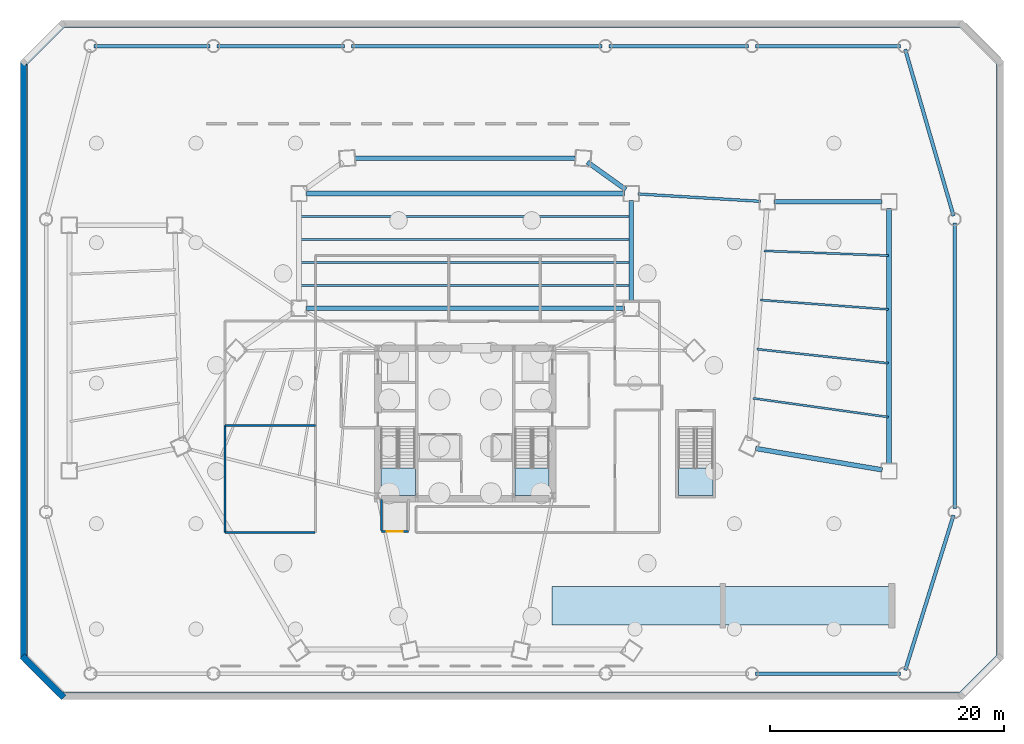
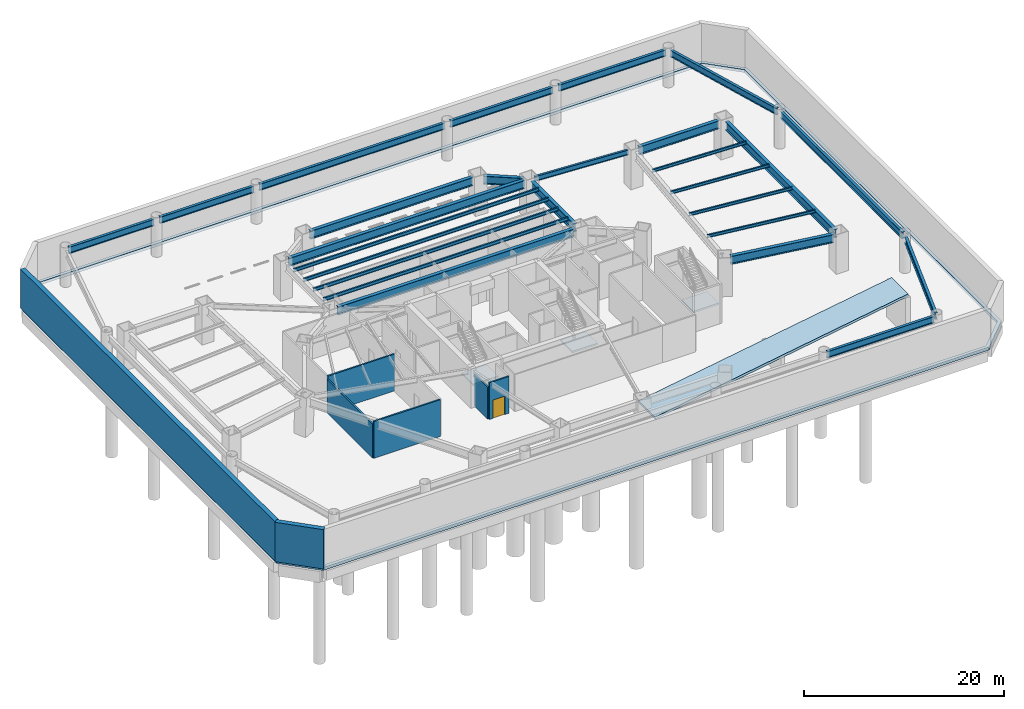
# One storey, part 5 of 11: 26 beams, 7 walls, 5 slabs, 1 door, 1 opening, 3 elements without a shape of their own.
"""IFC4 building model written with IfcOpenShell, lengths in metres."""

from ifc_helpers import new_model, si_unit, direction, frame, frame_2d, origin, origin_2d, place, context, subcontext, project, spatial, polyline, rectangle, i_section, outline, extrude, source, transform, mapped, material, layer, layer_set, material_profile, profile_set, type_object, type_shapes, element, fill, aggregate, save


model = new_model("IFC4")

# Units and contexts
model_context = context("Model", 3, precision=1e-05, world=origin(), true_north=direction((0.0, 1.0)))
body_context = subcontext(model_context, "Body", "Model", "MODEL_VIEW")
ifc_project = project(units=[si_unit("LENGTHUNIT", "METRE"), si_unit("AREAUNIT", "SQUARE_METRE"), si_unit("VOLUMEUNIT", "CUBIC_METRE"), si_unit("PLANEANGLEUNIT", "RADIAN"), si_unit("MASSUNIT", "GRAM", prefix="KILO")], contexts=[model_context])

# Site, building, storey
site_placement = place(None, origin())
site = spatial("IfcSite", under=ifc_project, at=site_placement, CompositionType="ELEMENT")
building_placement = place(site_placement, origin())
building = spatial("IfcBuilding", under=site, at=building_placement, Name="Caelisora Broadcast Tower", CompositionType="ELEMENT")
storey_placement = place(building_placement, frame((0.0, 0.0, -4.800048828125)))
storey = spatial("IfcBuildingStorey", under=building, at=storey_placement, Name="B1", CompositionType="ELEMENT", Elevation=-4.800048828125)

# Beams
ifc_material_1 = material(Name="Steel Grade 350 (AS/NZS 3679.2)", Category="steel")
ifc_material_profile_1 = material_profile(ifc_material_1, i_section(OverallWidth=0.300048828125, OverallDepth=0.800048828125, WebThickness=0.013916015625, FlangeThickness=0.02392578125, at=origin_2d()), Name="Steel Grade 350 (AS/NZS 3679.2)")
ifc_profile_set_1 = profile_set([ifc_material_profile_1], Name="Steel Grade 350 (AS/NZS 3679.2)")
beam_type_1 = type_object("IfcBeamType", Name="PG02", PredefinedType="BEAM", material=ifc_profile_set_1)
shared_shape_1 = source(origin(), body_context, "Body", "SweptSolid", [
    extrude(i_section(OverallWidth=0.300048828125, OverallDepth=0.800048828125, WebThickness=0.013916015625, FlangeThickness=0.02392578125, at=origin_2d()), origin(), (0.0, 0.0, 1.0), 9.89990234375),
])
beam_1_placement = place(storey_placement, frame((6.300048828125, 55.800048828125, 4.080078125), z_axis=(1.0, 0.0, 0.0), x_axis=(0.0, 1.0, 0.0)))
element("IfcBeam", 1, at=beam_1_placement, inside=storey, type_object=beam_type_1, Name="B1 beam PG02", PredefinedType="BEAM", context=body_context, shape_type="MappedRepresentation", body=[
    mapped(shared_shape_1, transform((0.0, 0.0, 0.0), scale=1.0)),
])
shared_shape_2 = source(origin(), body_context, "Body", "SweptSolid", [
    extrude(i_section(OverallWidth=0.300048828125, OverallDepth=0.800048828125, WebThickness=0.013916015625, FlangeThickness=0.02392578125, at=origin_2d()), origin(), (0.0, 0.0, 1.0), 10.89990234375),
])
beam_2_placement = place(storey_placement, frame((16.800048828125, 55.800048828125, 4.080078125), z_axis=(1.0, 0.0, 0.0), x_axis=(0.0, 1.0, 0.0)))
element("IfcBeam", 2, at=beam_2_placement, inside=storey, type_object=beam_type_1, Name="B1 beam PG02", PredefinedType="BEAM", context=body_context, shape_type="MappedRepresentation", body=[
    mapped(shared_shape_2, transform((0.0, 0.0, 0.0), scale=1.0)),
])
shared_shape_3 = source(origin(), body_context, "Body", "SweptSolid", [
    extrude(i_section(OverallWidth=0.300048828125, OverallDepth=0.800048828125, WebThickness=0.013916015625, FlangeThickness=0.02392578125, at=origin_2d()), origin(), (0.0, 0.0, 1.0), 21.39990234375),
])
beam_3_placement = place(storey_placement, frame((28.300048828125, 55.800048828125, 4.080078125), z_axis=(1.0, 0.0, 0.0), x_axis=(0.0, 1.0, 0.0)))
element("IfcBeam", 3, at=beam_3_placement, inside=storey, type_object=beam_type_1, Name="B1 beam PG02", PredefinedType="BEAM", context=body_context, shape_type="MappedRepresentation", body=[
    mapped(shared_shape_3, transform((0.0, 0.0, 0.0), scale=1.0)),
])
shared_shape_4 = source(origin(), body_context, "Body", "SweptSolid", [
    extrude(i_section(OverallWidth=0.300048828125, OverallDepth=0.800048828125, WebThickness=0.013916015625, FlangeThickness=0.02392578125, at=origin_2d()), origin(), (0.0, 0.0, 1.0), 11.89990234375),
])
beam_4_placement = place(storey_placement, frame((50.300048828125, 55.800048828125, 4.080078125), z_axis=(1.0, 0.0, 0.0), x_axis=(0.0, 1.0, 0.0)))
element("IfcBeam", 4, at=beam_4_placement, inside=storey, type_object=beam_type_1, Name="B1 beam PG02", PredefinedType="BEAM", context=body_context, shape_type="MappedRepresentation", body=[
    mapped(shared_shape_4, transform((0.0, 0.0, 0.0), scale=1.0)),
])
shared_shape_5 = source(origin(), body_context, "Body", "SweptSolid", [
    extrude(i_section(OverallWidth=0.300048828125, OverallDepth=0.800048828125, WebThickness=0.013916015625, FlangeThickness=0.02392578125, at=origin_2d()), origin(), (0.0, 0.0, 1.0), 12.39990234375),
])
for number, where, z_axis, x_axis, name in (
    (5, (62.800048828125, 2.199951171875, 4.080078125), (1.0, 0.0, 0.0), (0.0, 1.0, 0.0), "B1 beam PG02"),
    (6, (62.800048828125, 55.800048828125, 4.080078125), (1.0, 0.0, 0.0), (0.0, 1.0, 0.0), "B1 beam PG02"),
):
    element("IfcBeam", number, at=place(storey_placement, frame(where, z_axis=z_axis, x_axis=x_axis)), inside=storey, type_object=beam_type_1, Name=name, PredefinedType="BEAM", context=body_context, shape_type="MappedRepresentation", body=[
        mapped(shared_shape_5, transform((0.0, 0.0, 0.0), scale=1.0)),
    ])
shared_shape_6 = source(origin(), body_context, "Body", "SweptSolid", [
    extrude(i_section(OverallWidth=0.300048828125, OverallDepth=0.800048828125, WebThickness=0.013916015625, FlangeThickness=0.02392578125, at=origin_2d()), origin(), (0.0, 0.0, 1.0), 24.39990234375),
])
beam_5_placement = place(storey_placement, frame((79.800048828125, 16.300048828125, 4.080078125), z_axis=(0.0, 1.0, 0.0), x_axis=(-1.0, 0.0, 0.0)))
element("IfcBeam", 7, at=beam_5_placement, inside=storey, type_object=beam_type_1, Name="B1 beam PG02", PredefinedType="BEAM", context=body_context, shape_type="MappedRepresentation", body=[
    mapped(shared_shape_6, transform((0.0, 0.0, 0.0), scale=1.0)),
])
shared_shape_7 = source(origin(), body_context, "Body", "SweptSolid", [
    extrude(i_section(OverallWidth=0.300048828125, OverallDepth=0.800048828125, WebThickness=0.013916015625, FlangeThickness=0.02392578125, at=origin_2d()), origin(), (0.0, 0.0, 1.0), 13.8544921875),
])
beam_6_placement = place(storey_placement, frame((75.589111328125, 2.486328125, 4.080078125), z_axis=(0.297489253499, 0.954725166764, 0.0), x_axis=(-0.954725166764, 0.297489253499, 0.0)))
element("IfcBeam", 8, at=beam_6_placement, inside=storey, type_object=beam_type_1, Name="B1 beam PG02", PredefinedType="BEAM", context=body_context, shape_type="MappedRepresentation", body=[
    mapped(shared_shape_7, transform((0.0, 0.0, 0.0), scale=1.0)),
])
shared_shape_8 = source(origin(), body_context, "Body", "SweptSolid", [
    extrude(i_section(OverallWidth=0.300048828125, OverallDepth=0.800048828125, WebThickness=0.013916015625, FlangeThickness=0.02392578125, at=origin_2d()), origin(), (0.0, 0.0, 1.0), 14.81201171875),
])
type_shapes(beam_type_1, [shared_shape_1, shared_shape_2, shared_shape_3, shared_shape_4, shared_shape_5, shared_shape_6, shared_shape_7, shared_shape_8])
beam_7_placement = place(storey_placement, frame((79.71630859375, 41.2880859375, 4.080078125), z_axis=(-0.279000450759, 0.960290970736, 0.0), x_axis=(-0.960290970736, -0.279000450759, 0.0)))
element("IfcBeam", 9, at=beam_7_placement, inside=storey, type_object=beam_type_1, Name="B1 beam PG02", PredefinedType="BEAM", context=body_context, shape_type="MappedRepresentation", body=[
    mapped(shared_shape_8, transform((0.0, 0.0, 0.0), scale=1.0)),
])
ifc_material_profile_2 = material_profile(ifc_material_1, i_section(OverallWidth=0.39990234375, OverallDepth=1.0, WebThickness=0.01611328125, FlangeThickness=0.028076171875, at=origin_2d()), Name="Steel Grade 350 (AS/NZS 3679.2)")
ifc_profile_set_2 = profile_set([ifc_material_profile_2], Name="Steel Grade 350 (AS/NZS 3679.2)")
beam_type_2 = type_object("IfcBeamType", Name="PG01", PredefinedType="BEAM", material=ifc_profile_set_2)
shared_shape_9 = source(origin(), body_context, "Body", "SweptSolid", [
    extrude(i_section(OverallWidth=0.39990234375, OverallDepth=1.0, WebThickness=0.01611328125, FlangeThickness=0.028076171875, at=origin_2d()), origin(), (0.0, 0.0, 1.0), 18.78173828125),
])
beam_8_placement = place(storey_placement, frame((47.390869140625, 46.223388671875, 3.97998046875), z_axis=(-1.0, 0.0, 0.0), x_axis=(0.0, -1.0, 0.0)))
element("IfcBeam", 10, at=beam_8_placement, inside=storey, type_object=beam_type_2, Name="B1 beam PG01", PredefinedType="BEAM", context=body_context, shape_type="MappedRepresentation", body=[
    mapped(shared_shape_9, transform((0.0, 0.0, 0.0), scale=1.0)),
])
shared_shape_10 = source(origin(), body_context, "Body", "SweptSolid", [
    extrude(i_section(OverallWidth=0.39990234375, OverallDepth=1.0, WebThickness=0.01611328125, FlangeThickness=0.028076171875, at=origin_2d()), origin(), (0.0, 0.0, 1.0), 4.02978515625),
])
beam_9_placement = place(storey_placement, frame((51.717529296875, 43.537841796875, 3.97998046875), z_axis=(-0.812782704199, 0.582566971048, 0.0), x_axis=(-0.582566971048, -0.812782704199, 0.0)))
element("IfcBeam", 11, at=beam_9_placement, inside=storey, type_object=beam_type_2, Name="B1 beam PG01", PredefinedType="BEAM", context=body_context, shape_type="MappedRepresentation", body=[
    mapped(shared_shape_10, transform((0.0, 0.0, 0.0), scale=1.0)),
])
shared_shape_11 = source(origin(), body_context, "Body", "SweptSolid", [
    extrude(i_section(OverallWidth=0.39990234375, OverallDepth=1.0, WebThickness=0.01611328125, FlangeThickness=0.028076171875, at=origin_2d()), origin(), (0.0, 0.0, 1.0), 10.978271484375),
])
beam_10_placement = place(storey_placement, frame((62.803466796875, 21.426513671875, 3.97998046875), z_axis=(0.986011432808, -0.166677696082, 0.0), x_axis=(0.166677696082, 0.986011432808, 0.0)))
element("IfcBeam", 12, at=beam_10_placement, inside=storey, type_object=beam_type_2, Name="B1 beam PG01", PredefinedType="BEAM", context=body_context, shape_type="MappedRepresentation", body=[
    mapped(shared_shape_11, transform((0.0, 0.0, 0.0), scale=1.0)),
])
shared_shape_12 = source(origin(), body_context, "Body", "SweptSolid", [
    extrude(i_section(OverallWidth=0.39990234375, OverallDepth=1.0, WebThickness=0.01611328125, FlangeThickness=0.028076171875, at=origin_2d()), origin(), (0.0, 0.0, 1.0), 9.240234375),
])
beam_11_placement = place(storey_placement, frame((64.3798828125, 42.5, 3.97998046875), z_axis=(1.0, 0.0, 0.0), x_axis=(0.0, 1.0, 0.0)))
element("IfcBeam", 13, at=beam_11_placement, inside=storey, type_object=beam_type_2, Name="B1 beam PG01", PredefinedType="BEAM", context=body_context, shape_type="MappedRepresentation", body=[
    mapped(shared_shape_12, transform((0.0, 0.0, 0.0), scale=1.0)),
])
shared_shape_13 = source(origin(), body_context, "Body", "SweptSolid", [
    extrude(i_section(OverallWidth=0.39990234375, OverallDepth=1.0, WebThickness=0.01611328125, FlangeThickness=0.028076171875, at=origin_2d()), origin(), (0.0, 0.0, 1.0), 21.83984375),
])
beam_12_placement = place(storey_placement, frame((74.199951171875, 20.080078125, 3.97998046875), z_axis=(0.0, 1.0, 0.0), x_axis=(-1.0, 0.0, 0.0)))
element("IfcBeam", 14, at=beam_12_placement, inside=storey, type_object=beam_type_2, Name="B1 beam PG01", PredefinedType="BEAM", context=body_context, shape_type="MappedRepresentation", body=[
    mapped(shared_shape_13, transform((0.0, 0.0, 0.0), scale=1.0)),
])
ifc_material_2 = material(Name="Steel Grade 350 (AS/NZS 3679.1)", Category="steel")
ifc_material_profile_3 = material_profile(ifc_material_2, i_section(OverallWidth=0.22900390625, OverallDepth=0.611572265625, WebThickness=0.011962890625, FlangeThickness=0.01953125, at=origin_2d()), Name="Steel Grade 350 (AS/NZS 3679.1)")
ifc_profile_set_3 = profile_set([ifc_material_profile_3], Name="Steel Grade 350 (AS/NZS 3679.1)")
beam_type_3 = type_object("IfcBeamType", Name="PG03", PredefinedType="BEAM", material=ifc_profile_set_3)
shared_shape_14 = source(origin(), body_context, "Body", "SweptSolid", [
    extrude(i_section(OverallWidth=0.22900390625, OverallDepth=0.611572265625, WebThickness=0.011962890625, FlangeThickness=0.01953125, at=origin_2d()), origin(), (0.0, 0.0, 1.0), 10.472412109375),
])
type_shapes(beam_type_3, [shared_shape_14])
beam_13_placement = place(storey_placement, frame((52.767822265625, 43.1650390625, 4.17431640625), z_axis=(0.998188109477, -0.060170575018, 0.0), x_axis=(0.060170575018, 0.998188109477, 0.0)))
element("IfcBeam", 15, at=beam_13_placement, inside=storey, type_object=beam_type_3, Name="B1 beam PG03", PredefinedType="BEAM", context=body_context, shape_type="MappedRepresentation", body=[
    mapped(shared_shape_14, transform((0.0, 0.0, 0.0), scale=1.0)),
])
shared_shape_15 = source(origin(), body_context, "Body", "SweptSolid", [
    extrude(i_section(OverallWidth=0.39990234375, OverallDepth=1.0, WebThickness=0.01611328125, FlangeThickness=0.028076171875, at=origin_2d()), origin(), (0.0, 0.0, 1.0), 27.2177734375),
])
for number, where, z_axis, x_axis, name in (
    (16, (24.39111328125, 43.199951171875, 3.97998046875), (1.0, 0.0, 0.0), (0.0, 1.0, 0.0), "B1 beam PG01"),
    (17, (24.39111328125, 33.39990234375, 3.97998046875), (1.0, 0.0, 0.0), (0.0, 1.0, 0.0), "B1 beam PG01"),
):
    element("IfcBeam", number, at=place(storey_placement, frame(where, z_axis=z_axis, x_axis=x_axis)), inside=storey, type_object=beam_type_2, Name=name, PredefinedType="BEAM", context=body_context, shape_type="MappedRepresentation", body=[
        mapped(shared_shape_15, transform((0.0, 0.0, 0.0), scale=1.0)),
    ])
shared_shape_16 = source(origin(), body_context, "Body", "SweptSolid", [
    extrude(i_section(OverallWidth=0.39990234375, OverallDepth=1.0, WebThickness=0.01611328125, FlangeThickness=0.028076171875, at=origin_2d()), origin(), (0.0, 0.0, 1.0), 8.64013671875),
])
type_shapes(beam_type_2, [shared_shape_9, shared_shape_10, shared_shape_11, shared_shape_12, shared_shape_13, shared_shape_15, shared_shape_16])
beam_14_placement = place(storey_placement, frame((52.18896484375, 33.97998046875, 3.97998046875), z_axis=(0.0, 1.0, 0.0), x_axis=(-1.0, 0.0, 0.0)))
element("IfcBeam", 18, at=beam_14_placement, inside=storey, type_object=beam_type_2, Name="B1 beam PG01", PredefinedType="BEAM", context=body_context, shape_type="MappedRepresentation", body=[
    mapped(shared_shape_16, transform((0.0, 0.0, 0.0), scale=1.0)),
])
ifc_material_profile_4 = material_profile(ifc_material_2, i_section(OverallWidth=0.172119140625, OverallDepth=0.358642578125, WebThickness=0.008056640625, FlangeThickness=0.012939453125, at=origin_2d()), Name="Steel Grade 350 (AS/NZS 3679.1)")
ifc_profile_set_4 = profile_set([ifc_material_profile_4], Name="Steel Grade 350 (AS/NZS 3679.1)")
beam_type_4 = type_object("IfcBeamType", Name="SB02", PredefinedType="JOIST", material=ifc_profile_set_4)
shared_shape_17 = source(origin(), body_context, "Body", "SweptSolid", [
    extrude(i_section(OverallWidth=0.172119140625, OverallDepth=0.358642578125, WebThickness=0.008056640625, FlangeThickness=0.012939453125, at=origin_2d()), origin(), (0.0, 0.0, 1.0), 11.646728515625),
])
beam_15_placement = place(storey_placement, frame((62.6044921875, 25.710205078125, 4.30078125), z_axis=(0.990497350358, -0.137531810626, 0.0), x_axis=(0.137531810626, 0.990497350358, 0.0)))
element("IfcBeam", 19, at=beam_15_placement, inside=storey, type_object=beam_type_4, Name="B1 beam SB02", PredefinedType="JOIST", context=body_context, shape_type="MappedRepresentation", body=[
    mapped(shared_shape_17, transform((0.0, 0.0, 0.0), scale=1.0)),
])
shared_shape_18 = source(origin(), body_context, "Body", "SweptSolid", [
    extrude(i_section(OverallWidth=0.172119140625, OverallDepth=0.358642578125, WebThickness=0.008056640625, FlangeThickness=0.012939453125, at=origin_2d()), origin(), (0.0, 0.0, 1.0), 11.285888671875),
])
beam_16_placement = place(storey_placement, frame((62.918701171875, 29.907470703125, 4.30078125), z_axis=(0.994319951459, -0.106432298346, 0.0), x_axis=(0.106432298346, 0.994319951459, 0.0)))
element("IfcBeam", 20, at=beam_16_placement, inside=storey, type_object=beam_type_4, Name="B1 beam SB02", PredefinedType="JOIST", context=body_context, shape_type="MappedRepresentation", body=[
    mapped(shared_shape_18, transform((0.0, 0.0, 0.0), scale=1.0)),
])
shared_shape_19 = source(origin(), body_context, "Body", "SweptSolid", [
    extrude(i_section(OverallWidth=0.172119140625, OverallDepth=0.358642578125, WebThickness=0.008056640625, FlangeThickness=0.012939453125, at=origin_2d()), origin(), (0.0, 0.0, 1.0), 10.93701171875),
])
beam_17_placement = place(storey_placement, frame((63.232421875, 34.10498046875, 4.30078125), z_axis=(0.997317651163, -0.073194963476, 0.0), x_axis=(0.073194963476, 0.997317651163, 0.0)))
element("IfcBeam", 21, at=beam_17_placement, inside=storey, type_object=beam_type_4, Name="B1 beam SB02", PredefinedType="JOIST", context=body_context, shape_type="MappedRepresentation", body=[
    mapped(shared_shape_19, transform((0.0, 0.0, 0.0), scale=1.0)),
])
shared_shape_20 = source(origin(), body_context, "Body", "SweptSolid", [
    extrude(i_section(OverallWidth=0.172119140625, OverallDepth=0.358642578125, WebThickness=0.008056640625, FlangeThickness=0.012939453125, at=origin_2d()), origin(), (0.0, 0.0, 1.0), 10.60107421875),
])
type_shapes(beam_type_4, [shared_shape_17, shared_shape_18, shared_shape_19, shared_shape_20])
beam_18_placement = place(storey_placement, frame((63.54638671875, 38.302490234375, 4.30078125), z_axis=(0.999287369898, -0.037745891988, 0.0), x_axis=(0.037745891988, 0.999287369898, 0.0)))
element("IfcBeam", 22, at=beam_18_placement, inside=storey, type_object=beam_type_4, Name="B1 beam SB02", PredefinedType="JOIST", context=body_context, shape_type="MappedRepresentation", body=[
    mapped(shared_shape_20, transform((0.0, 0.0, 0.0), scale=1.0)),
])
ifc_material_profile_5 = material_profile(ifc_material_2, i_section(OverallWidth=0.177978515625, OverallDepth=0.406494140625, WebThickness=0.0078125, FlangeThickness=0.0126953125, at=origin_2d()), Name="Steel Grade 350 (AS/NZS 3679.1)")
ifc_profile_set_5 = profile_set([ifc_material_profile_5], Name="Steel Grade 350 (AS/NZS 3679.1)")
beam_type_5 = type_object("IfcBeamType", Name="SB01", PredefinedType="JOIST", material=ifc_profile_set_5)
shared_shape_21 = source(origin(), body_context, "Body", "SweptSolid", [
    extrude(i_section(OverallWidth=0.177978515625, OverallDepth=0.406494140625, WebThickness=0.0078125, FlangeThickness=0.0126953125, at=origin_2d()), origin(), (0.0, 0.0, 1.0), 28.2578125),
])
type_shapes(beam_type_5, [shared_shape_21])
for number, where, z_axis, x_axis, name in (
    (23, (23.87109375, 35.360107421875, 4.27685546875), (1.0, 0.0, 0.0), (0.0, 1.0, 0.0), "B1 beam SB01"),
    (24, (23.87109375, 37.320068359375, 4.27685546875), (1.0, 0.0, 0.0), (0.0, 1.0, 0.0), "B1 beam SB01"),
    (25, (23.87109375, 39.280029296875, 4.27685546875), (1.0, 0.0, 0.0), (0.0, 1.0, 0.0), "B1 beam SB01"),
    (26, (23.87109375, 41.239990234375, 4.27685546875), (1.0, 0.0, 0.0), (0.0, 1.0, 0.0), "B1 beam SB01"),
):
    element("IfcBeam", number, at=place(storey_placement, frame(where, z_axis=z_axis, x_axis=x_axis)), inside=storey, type_object=beam_type_5, Name=name, PredefinedType="JOIST", context=body_context, shape_type="MappedRepresentation", body=[
        mapped(shared_shape_21, transform((0.0, 0.0, 0.0), scale=1.0)),
    ])

# Slab
ifc_material_3 = material(Name="Concrete 50 MPa (AS 3600 S50)", Category="concrete")
ifc_layer_1 = layer(ifc_material_3, 0.35009765625, Name="Concrete 50 MPa (AS 3600 S50)")
ifc_layer_set_1 = layer_set([ifc_layer_1], Name="Concrete 50 MPa (AS 3600 S50)")
slab_type_1 = type_object("IfcSlabType", Name="BS01", PredefinedType="BASESLAB", material=ifc_layer_set_1)
slab_1_placement = place(storey_placement, frame((0.0, 0.0, -0.349853515625)))
element("IfcSlab", 27, at=slab_1_placement, inside=storey, type_object=slab_type_1, Name="B1 base slab BS01", PredefinedType="BASESLAB", context=body_context, shape_type="SweptSolid", body=[
    extrude(outline(polyline([(3.591064453125, 0.219970703125), (0.219970703125, 3.591064453125), (0.219970703125, 54.408935546875), (3.591064453125, 57.780029296875), (80.408935546875, 57.780029296875), (83.780029296875, 54.408935546875), (83.780029296875, 3.591064453125), (80.408935546875, 0.219970703125), (3.591064453125, 0.219970703125)]), holes=[polyline([(3.7529296875, 0.610107421875), (0.610107421875, 3.7529296875), (0.610107421875, 54.2470703125), (3.7529296875, 57.389892578125), (80.2470703125, 57.389892578125), (83.389892578125, 54.2470703125), (83.389892578125, 3.7529296875), (80.2470703125, 0.610107421875), (3.7529296875, 0.610107421875)])]), origin(), (0.0, 0.0, 1.0), 0.349853515625),
])

# Stair, slab
ifc_material_4 = material(Name="Concrete 40 MPa (AS 3600 N40)", Category="concrete")
stair_type_1 = type_object("IfcStairType", Name="ST-1", PredefinedType="HALF_TURN_STAIR", material=ifc_material_4)
stair_1_placement = place(storey_placement, origin())
stair_1 = element("IfcStair", 28, at=stair_1_placement, inside=storey, type_object=stair_type_1, Name="B1 West Fire-Isolated Tower Stair", PredefinedType="HALF_TURN_STAIR")
ifc_layer_2 = layer(ifc_material_4, 0.199951171875, Name="Concrete 40 MPa (AS 3600 N40)")
ifc_layer_set_2 = layer_set([ifc_layer_2], Name="Concrete 40 MPa (AS 3600 N40)")
slab_type_2 = type_object("IfcSlabType", Name="STL-1", PredefinedType="LANDING", material=ifc_layer_set_2)
slab_2_placement = place(storey_placement, frame((0.0, 0.0, 2.199951171875)))
slab_2 = element("IfcSlab", 29, at=slab_2_placement, type_object=slab_type_2, Name="ST-1 landing 1", PredefinedType="LANDING", context=body_context, shape_type="SweptSolid", body=[
    extrude(outline(polyline([(30.820068359375, 19.739990234375), (30.820068359375, 17.39990234375), (33.739990234375, 17.39990234375), (33.739990234375, 19.739990234375), (30.820068359375, 19.739990234375)])), origin(), (0.0, 0.0, 1.0), 0.2001953125),
])
aggregate(stair_1, [slab_2])

stair_type_2 = type_object("IfcStairType", Name="ST-2", PredefinedType="HALF_TURN_STAIR", material=ifc_material_4)
stair_2_placement = place(storey_placement, origin())
stair_2 = element("IfcStair", 30, at=stair_2_placement, inside=storey, type_object=stair_type_2, Name="B1 East Fire-Isolated Tower Stair", PredefinedType="HALF_TURN_STAIR")
slab_3_placement = place(storey_placement, frame((0.0, 0.0, 2.199951171875)))
slab_3 = element("IfcSlab", 31, at=slab_3_placement, type_object=slab_type_2, Name="ST-2 landing 1", PredefinedType="LANDING", context=body_context, shape_type="SweptSolid", body=[
    extrude(outline(polyline([(42.260009765625, 19.739990234375), (42.260009765625, 17.39990234375), (45.179931640625, 17.39990234375), (45.179931640625, 19.739990234375), (42.260009765625, 19.739990234375)])), origin(), (0.0, 0.0, 1.0), 0.2001953125),
])
aggregate(stair_2, [slab_3])

stair_type_3 = type_object("IfcStairType", Name="ST-3", PredefinedType="HALF_TURN_STAIR", material=ifc_material_4)
stair_3_placement = place(storey_placement, origin())
stair_3 = element("IfcStair", 32, at=stair_3_placement, inside=storey, type_object=stair_type_3, Name="B1 Podium Broadcast Studio Exit Stair", PredefinedType="HALF_TURN_STAIR")
slab_4_placement = place(storey_placement, frame((0.0, 0.0, 2.199951171875)))
slab_4 = element("IfcSlab", 33, at=slab_4_placement, type_object=slab_type_2, Name="ST-3 landing 1", PredefinedType="LANDING", context=body_context, shape_type="SweptSolid", body=[
    extrude(outline(polyline([(56.199951171875, 19.739990234375), (56.199951171875, 17.39990234375), (59.159912109375, 17.39990234375), (59.159912109375, 19.739990234375), (56.199951171875, 19.739990234375)])), origin(), (0.0, 0.0, 1.0), 0.2001953125),
])
aggregate(stair_3, [slab_4])

# Slab
ifc_layer_3 = layer(ifc_material_4, 0.300048828125, Name="Concrete 40 MPa (AS 3600 N40)")
ifc_layer_set_3 = layer_set([ifc_layer_3], Name="Concrete 40 MPa (AS 3600 N40)")
slab_type_3 = type_object("IfcSlabType", Name="VR01", PredefinedType="FLOOR", material=ifc_layer_set_3)
slab_5_placement = place(storey_placement, frame((45.39990234375, 6.35009765625, 0.0), z_axis=(-0.162207150513, 0.0, 0.986756728035), x_axis=(0.986756728035, 0.0, 0.162207150513)))
element("IfcSlab", 34, at=slab_5_placement, inside=storey, type_object=slab_type_3, Name="B1 to L00 vehicle ramp structural slab VR01", PredefinedType="FLOOR", context=body_context, shape_type="SweptSolid", body=[
    extrude(outline(polyline([(0.0, 0.0), (29.59209142728055, 0.0), (29.59209142728055, 3.2998046875), (0.0, 3.2998046875), (0.0, 0.0)])), origin(), (0.0, 0.0, -1.0), 0.300048828125),
])

# Wall, opening, door
ifc_material_5 = material(Name="Fire-Rated Gypsum Shaft and Compartment Wall", Category="gypsum")
ifc_layer_4 = layer(ifc_material_5, 0.179931640625, Name="Fire-Rated Gypsum Shaft and Compartment Wall")
ifc_layer_set_4 = layer_set([ifc_layer_4], Name="Fire-Rated Gypsum Shaft and Compartment Wall")
wall_type_1 = type_object("IfcWallType", Name="PW2", PredefinedType="PARTITIONING", material=ifc_layer_set_4)
wall_1_placement = place(storey_placement, frame((30.85009765625, 14.320068359375, 0.0), z_axis=(0.0, 0.0, 1.0), x_axis=(1.0, 0.0, 0.0)))
wall_1 = element("IfcWall", 35, at=wall_1_placement, inside=storey, type_object=wall_type_1, Name="B1 fire compartment wall PW2", PredefinedType="PARTITIONING", context=body_context, shape_type="SweptSolid", body=[
    extrude(rectangle(XDim=2.2998046875, YDim=0.179931640625, at=frame_2d((1.14990234375, 0.0))), origin(), (0.0, 0.0, 1.0), 4.47998046875),
])
opening_placement = place(wall_1_placement, frame((0.449951171875, 0.0, 0.0)))
opening = element("IfcOpeningElement", 36, at=opening_placement, cuts=wall_1, Name="Opening LD03", PredefinedType="OPENING", context=body_context, shape_type="SweptSolid", body=[
    extrude(rectangle(XDim=1.35009765625, YDim=2.25, at=frame_2d((0.675048828125, 1.125))), frame((0.0, 0.10205078125, 0.0), z_axis=(0.0, -1.0, 0.0), x_axis=(1.0, 0.0, 0.0)), (0.0, 0.0, 1.0), 0.203857421875),
])
ifc_material_6 = material(Name="Heavy-Duty Goods Lift Sliding Landing Door", Category="steel")
door_type = type_object("IfcDoorType", Name="LD03", OperationType="NOTDEFINED", PredefinedType="DOOR", material=ifc_material_6)
door_placement = place(opening_placement, origin())
door = element("IfcDoor", 37, at=door_placement, inside=storey, type_object=door_type, Name="B1 door LD03 (B1-LD-GL1)", OperationType="SLIDING_TO_LEFT", OverallHeight=2.25, OverallWidth=1.35009765625, PredefinedType="DOOR", context=body_context, shape_type="SweptSolid", body=[
    extrude(rectangle(XDim=1.35009765625, YDim=2.25, at=frame_2d((0.675048828125, 1.125))), frame((0.0, 0.02490234375, 0.0), z_axis=(0.0, -1.0, 0.0), x_axis=(1.0, 0.0, 0.0)), (0.0, 0.0, 1.0), 0.050048828125),
])
fill(opening, door)

# Walls
wall_2_placement = place(storey_placement, frame((30.85009765625, 14.419921875, 0.0), z_axis=(0.0, 0.0, 1.0), x_axis=(0.0, 1.0, 0.0)))
element("IfcWall", 38, at=wall_2_placement, inside=storey, type_object=wall_type_1, Name="B1 fire compartment wall PW2", PredefinedType="PARTITIONING", context=body_context, shape_type="SweptSolid", body=[
    extrude(rectangle(XDim=2.66015625, YDim=0.179931640625, at=frame_2d((1.330078125, 0.0))), origin(), (0.0, 0.0, 1.0), 3.853515625),
])
wall_3_placement = place(storey_placement, frame((17.5, 14.2548828125, 0.0), z_axis=(0.0, 0.0, 1.0), x_axis=(0.0, 1.0, 0.0)))
element("IfcWall", 39, at=wall_3_placement, inside=storey, type_object=wall_type_1, Name="B1 fire compartment wall PW2", PredefinedType="PARTITIONING", context=body_context, shape_type="SweptSolid", body=[
    extrude(rectangle(XDim=9.14013671875, YDim=0.179931640625, at=frame_2d((4.570068359375, 0.0))), origin(), (0.0, 0.0, 1.0), 4.1064453125),
])
for number, where, z_axis, x_axis, name in (
    (40, (25.195068359375, 14.25, 0.0), (0.0, 0.0, 1.0), (-1.0, 0.0, 0.0), "B1 fire compartment wall PW2"),
    (41, (17.5048828125, 23.39990234375, 0.0), (0.0, 0.0, 1.0), (1.0, 0.0, 0.0), "B1 fire compartment wall PW2"),
):
    element("IfcWall", number, at=place(storey_placement, frame(where, z_axis=z_axis, x_axis=x_axis)), inside=storey, type_object=wall_type_1, Name=name, PredefinedType="PARTITIONING", context=body_context, shape_type="SweptSolid", body=[
        extrude(rectangle(XDim=7.690185546875, YDim=0.179931640625, at=frame_2d((3.84521484375, 0.0))), origin(), (0.0, 0.0, 1.0), 4.47998046875),
    ])
ifc_layer_5 = layer(ifc_material_3, 0.52001953125, Name="Concrete 50 MPa (AS 3600 S50)")
ifc_layer_set_5 = layer_set([ifc_layer_5], Name="Concrete 50 MPa (AS 3600 S50)")
wall_type_2 = type_object("IfcWallType", Name="RW1", PredefinedType="SOLIDWALL", material=ifc_layer_set_5)
wall_4_placement = place(storey_placement, frame((3.706787109375, 0.160888671875, 0.0), z_axis=(0.0, 0.0, 1.0), x_axis=(-0.707106781187, 0.707106781187, 0.0)))
element("IfcWall", 42, at=wall_4_placement, inside=storey, type_object=wall_type_2, Name="B1 basement retaining wall RW1", PredefinedType="SOLIDWALL", context=body_context, shape_type="SweptSolid", body=[
    extrude(rectangle(XDim=5.0146484375, YDim=0.52001953125, at=frame_2d((2.50732421875, 0.0))), origin(), (0.0, 0.0, 1.0), 4.800048828125),
])
wall_5_placement = place(storey_placement, frame((0.260009765625, 3.587646484375, 0.0), z_axis=(0.0, 0.0, 1.0), x_axis=(0.0, 1.0, 0.0)))
element("IfcWall", 43, at=wall_5_placement, inside=storey, type_object=wall_type_2, Name="B1 basement retaining wall RW1", PredefinedType="SOLIDWALL", context=body_context, shape_type="SweptSolid", body=[
    extrude(rectangle(XDim=50.82470703125, YDim=0.52001953125, at=frame_2d((25.412353515625, 0.0))), origin(), (0.0, 0.0, 1.0), 4.800048828125),
])

save(model, "model.ifc")
